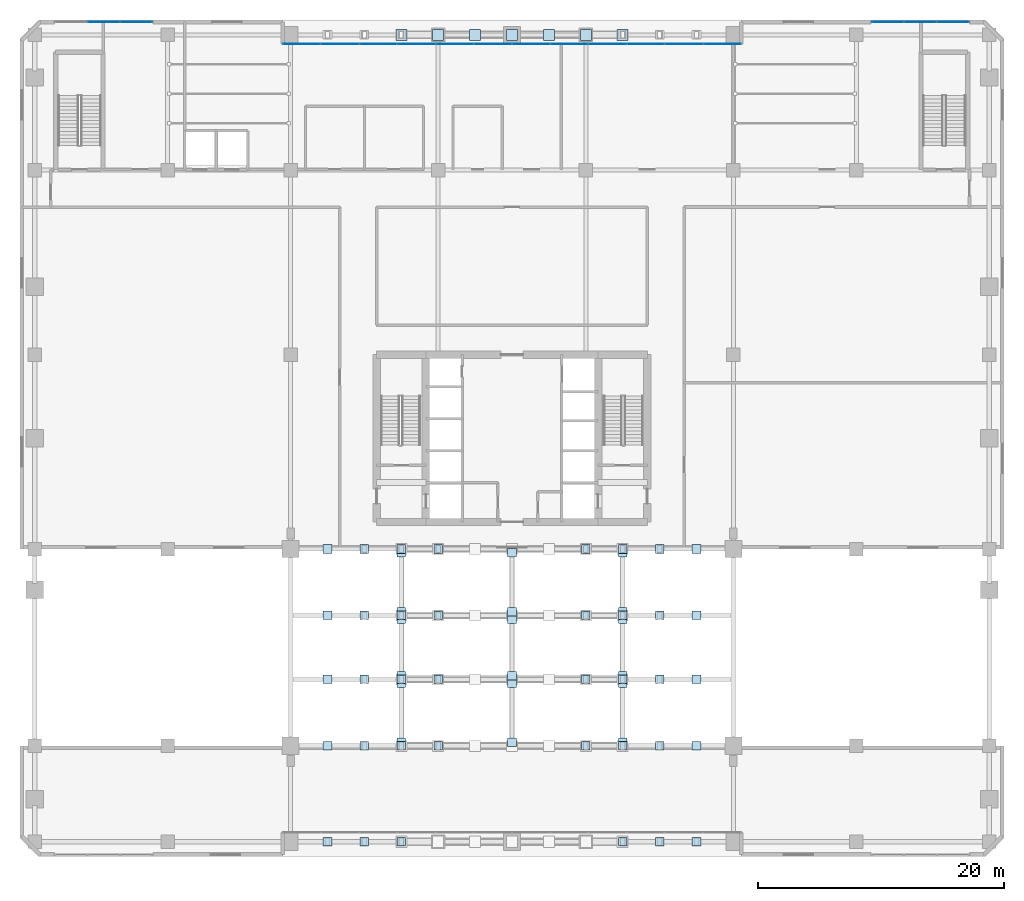
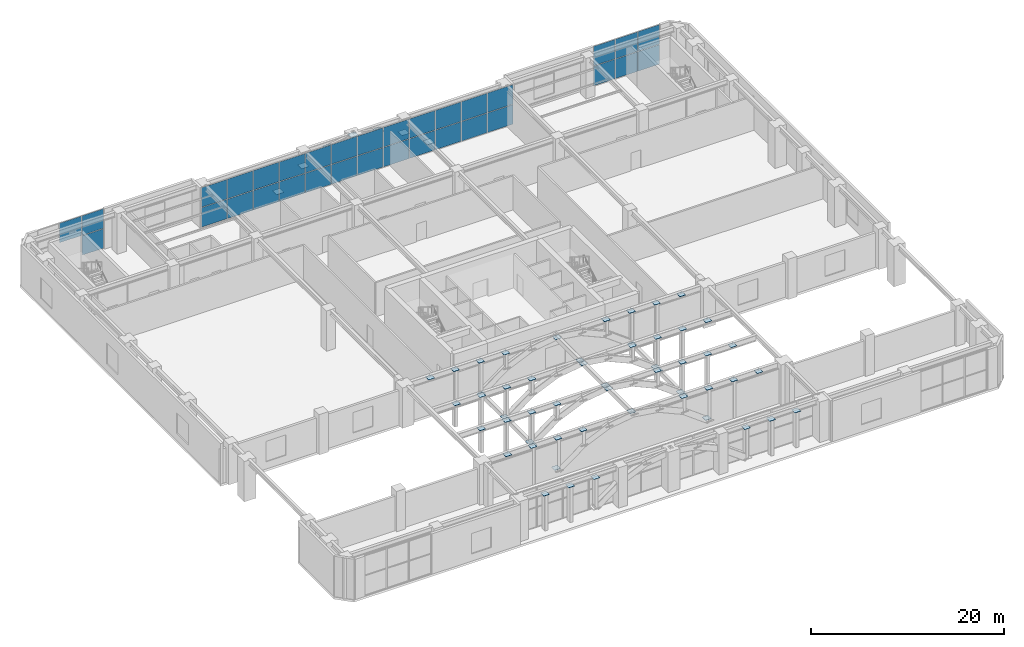
# One storey, part 23 of 32: 96 plates, 3 elements without a shape of their own.
"""IFC4 building model written with IfcOpenShell, lengths in metres."""

import ifcopenshell
import ifcopenshell.guid

model = None  # the IFC model being written
_history = None  # IfcOwnerHistory: only IFC2X3 demands one
_inside = {}  # id of a spatial element -> (the spatial element, [elements in it])
_under = {}  # id of a project, library or spatial element -> (it, [spatial elements below it])
_declared = {}  # id of a project -> (the project, [libraries it declares])
_typed = {}  # id of a type object -> (the type object, [elements of that type])
_made_of = {}  # id of a material, layer set ... -> (it, [elements and type objects made of it])


def new_model(schema):
    """Start an empty IFC model of exactly this schema.

    Asked for "IFC4X3", IfcOpenShell would pick the latest addendum, in which some entities
    have other attributes; the version numbers below select the first issue.
    IFC2X3 requires an IfcOwnerHistory on every rooted entity: one is made here for all.
    """
    global model, _history
    if schema == "IFC4X3":
        model = ifcopenshell.file(schema_version=(4, 3, 0, 0))
    else:
        model = ifcopenshell.file(schema=schema)
    _inside.clear()
    _under.clear()
    _declared.clear()
    _typed.clear()
    _made_of.clear()
    _history = None
    if model.schema == "IFC2X3":
        org = make("IfcOrganization", Name="unknown")
        user = make(
            "IfcPersonAndOrganization",
            ThePerson=make("IfcPerson", FamilyName="unknown"),
            TheOrganization=org,
        )
        app = make(
            "IfcApplication",
            ApplicationDeveloper=org,
            Version="unknown",
            ApplicationFullName="unknown",
            ApplicationIdentifier="unknown",
        )
        _history = make(
            "IfcOwnerHistory",
            OwningUser=user,
            OwningApplication=app,
            ChangeAction="ADDED",
            CreationDate=0,
        )
    return model


def make(cls, **values):
    """One entity of the class cls with the attributes given. An attribute that is None is left unset."""
    return model.create_entity(
        cls, **{name: value for name, value in values.items() if value is not None}
    )


def rooted(cls, **values):
    """An entity with a GlobalId (a new one), such as an element, a storey or a relation."""
    return make(cls, GlobalId=ifcopenshell.guid.new(), OwnerHistory=_history, **values)


def si_unit(unit_type, name, prefix=None):
    """IfcSIUnit, for example si_unit("LENGTHUNIT", "METRE", prefix="MILLI")."""
    return make("IfcSIUnit", UnitType=unit_type, Prefix=prefix, Name=name)


def assignment(units):
    """IfcUnitAssignment: the units of a project."""
    return None if units is None else make("IfcUnitAssignment", Units=units)


def point(xyz):
    """IfcCartesianPoint."""
    return None if xyz is None else make("IfcCartesianPoint", Coordinates=xyz)


def direction(xyz):
    """IfcDirection."""
    return None if xyz is None else make("IfcDirection", DirectionRatios=xyz)


def frame(location, z_axis=None, x_axis=None):
    """IfcAxis2Placement3D, a coordinate frame: its origin and axes. An axis left out is left unset."""
    return make(
        "IfcAxis2Placement3D",
        Location=point(location),
        Axis=direction(z_axis),
        RefDirection=direction(x_axis),
    )


def frame_2d(location, x_axis=None):
    """IfcAxis2Placement2D, a coordinate frame in the plane: its origin and x axis."""
    return make(
        "IfcAxis2Placement2D", Location=point(location), RefDirection=direction(x_axis)
    )


def origin():
    """The frame at (0, 0, 0) with its axes left unset."""
    return frame((0.0, 0.0, 0.0))


def origin_2d():
    """The frame at (0, 0) in the plane with its x axis left unset."""
    return frame_2d((0.0, 0.0))


def place(relative_to, where):
    """IfcLocalPlacement: puts the frame where relative to a parent placement (None: the world)."""
    return make(
        "IfcLocalPlacement", PlacementRelTo=relative_to, RelativePlacement=where
    )


def context(
    kind, dimensions, precision=None, world=None, true_north=None, identifier=None
):
    """IfcGeometricRepresentationContext, for example the 3D "Model" context."""
    return make(
        "IfcGeometricRepresentationContext",
        ContextIdentifier=identifier,
        ContextType=kind,
        CoordinateSpaceDimension=dimensions,
        Precision=precision,
        WorldCoordinateSystem=world,
        TrueNorth=true_north,
    )


def subcontext(parent, identifier, kind, view, scale=None):
    """IfcGeometricRepresentationSubContext, for example "Body" below "Model"."""
    return make(
        "IfcGeometricRepresentationSubContext",
        ContextIdentifier=identifier,
        ContextType=kind,
        ParentContext=parent,
        TargetScale=scale,
        TargetView=view,
    )


def project(units=None, contexts=None):
    """IfcProject with its units and contexts."""
    return rooted(
        "IfcProject",
        Name="project",
        RepresentationContexts=contexts,
        UnitsInContext=assignment(units),
    )


def spatial(cls, under=None, at=None, **own):
    """A site, building, storey or space (cls), placed at a placement, below another one or the project."""
    s = rooted(cls, ObjectPlacement=at, **own)
    if under is not None:
        _under.setdefault(under.id(), (under, []))[1].append(s)
    return s


def profile(cls, at=None, kind="AREA", **sizes):
    """A parametric profile (cls). Its sizes go by their IFC names, for example OverallWidth=200.0."""
    return make(cls, ProfileType=kind, Position=at, **sizes)


def rectangle(**sizes):
    """IfcRectangleProfileDef."""
    return profile("IfcRectangleProfileDef", **sizes)


def extrude(swept, where, along, depth):
    """IfcExtrudedAreaSolid: the profile swept, set in the frame where, extruded along a direction by depth."""
    return make(
        "IfcExtrudedAreaSolid",
        SweptArea=swept,
        Position=where,
        ExtrudedDirection=direction(along),
        Depth=depth,
    )


def shape(context_of_items, identifier, shape_type, items):
    """IfcShapeRepresentation: the items that make up one representation, for example the "Body"."""
    return make(
        "IfcShapeRepresentation",
        ContextOfItems=context_of_items,
        RepresentationIdentifier=identifier,
        RepresentationType=shape_type,
        Items=items,
    )


def material(Name=None, Category=None):
    """IfcMaterial."""
    return make("IfcMaterial", Name=Name, Category=Category)


def layer(
    of_material, thickness, ventilated=None, Name=None, Category=None, Priority=None
):
    """IfcMaterialLayer: one layer of a wall or slab, of a material (None: an air gap)."""
    return make(
        "IfcMaterialLayer",
        Material=of_material,
        LayerThickness=thickness,
        IsVentilated=ventilated,
        Name=Name,
        Category=Category,
        Priority=Priority,
    )


def layer_set(layers, Name=None):
    """IfcMaterialLayerSet."""
    return make("IfcMaterialLayerSet", MaterialLayers=layers, LayerSetName=Name)


def made_of(thing, what):
    """Note that an element or type object is made of a material, layer set ...; save() writes the relation."""
    if what is not None:
        _made_of.setdefault(what.id(), (what, []))[1].append(thing)
    return thing


def type_object(cls, material=None, **own):
    """A type object (cls), such as IfcWallType, which elements share."""
    return made_of(rooted(cls, **own), material)


def element(
    cls,
    number,
    at=None,
    inside=None,
    cuts=None,
    type_object=None,
    material=None,
    context=None,
    identifier="Body",
    shape_type=None,
    held_by="IfcProductDefinitionShape",
    body=None,
    shapes=None,
    **own,
):
    """One element of the class cls, such as IfcWall. Its Tag is "e" and its number.

    at: its placement. inside: the storey or other place that contains it. cuts: it is an
    opening in that element (IfcRelVoidsElement). A single representation is given by context,
    identifier, shape_type and body (its items); several are given by shapes. held_by: the class
    of the entity that holds the representations. save() writes the other relations.
    """
    e = rooted(cls, Tag="e%d" % number, ObjectPlacement=at, **own)
    if body is not None:
        shapes = [shape(context, identifier, shape_type, body)]
    if shapes is not None:
        e.Representation = make(held_by, Representations=shapes)
    if inside is not None:
        _inside.setdefault(inside.id(), (inside, []))[1].append(e)
    if cuts is not None:
        rooted(
            "IfcRelVoidsElement", RelatingBuildingElement=cuts, RelatedOpeningElement=e
        )
    if type_object is not None:
        _typed.setdefault(type_object.id(), (type_object, []))[1].append(e)
    return made_of(e, material)


def aggregate(whole, parts):
    """IfcRelAggregates: a whole, such as a stair, and the parts it consists of."""
    return rooted("IfcRelAggregates", RelatingObject=whole, RelatedObjects=parts)


def save(model, path):
    """Write the relations noted so far, then the file.

    IfcRelAggregates (storeys below a building ...), IfcRelContainedInSpatialStructure (elements
    in a storey), IfcRelDefinesByType, IfcRelAssociatesMaterial and IfcRelDeclares: one each for
    every whole, place, type object, material and project.
    """
    for whole, parts in _under.values():
        aggregate(whole, parts)
    for where, things in _inside.values():
        rooted(
            "IfcRelContainedInSpatialStructure",
            RelatedElements=things,
            RelatingStructure=where,
        )
    for kind, things in _typed.values():
        rooted("IfcRelDefinesByType", RelatedObjects=things, RelatingType=kind)
    for what, things in _made_of.values():
        rooted("IfcRelAssociatesMaterial", RelatedObjects=things, RelatingMaterial=what)
    for by, libraries in _declared.values():
        rooted("IfcRelDeclares", RelatingContext=by, RelatedDefinitions=libraries)
    model.write(path)


model = new_model("IFC4")

# Units and contexts
model_context = context("Model", 3, precision=1e-05, world=origin(), true_north=direction((0.0, 1.0)))
body_context = subcontext(model_context, "Body", "Model", "MODEL_VIEW")
ifc_project = project(units=[si_unit("LENGTHUNIT", "METRE"), si_unit("AREAUNIT", "SQUARE_METRE"), si_unit("VOLUMEUNIT", "CUBIC_METRE"), si_unit("PLANEANGLEUNIT", "RADIAN"), si_unit("MASSUNIT", "GRAM", prefix="KILO")], contexts=[model_context])

# Site, building, storey
site_placement = place(None, origin())
site = spatial("IfcSite", under=ifc_project, at=site_placement, CompositionType="ELEMENT")
building_placement = place(site_placement, origin())
building = spatial("IfcBuilding", under=site, at=building_placement, Name="Sarneth Arch Tower", CompositionType="ELEMENT")
storey_placement = place(building_placement, frame((0.0, 0.0, 11.39990234375)))
storey = spatial("IfcBuildingStorey", under=building, at=storey_placement, Name="L02", CompositionType="ELEMENT", Elevation=11.39990234375)

# Curtain wall, plates
ifc_material_1 = material(Name="Anodised aluminium Type AA25 and solar-control low-e laminated IGU", Category="aluminium")
ifc_layer_1 = layer(ifc_material_1, 0.199951171875)
ifc_layer_set_1 = layer_set([ifc_layer_1], Name="Anodised aluminium Type AA25 and solar-control low-e laminated IGU")
curtain_wall_type_1 = type_object("IfcCurtainWallType", Name="CW-ARCH-GLAZE", PredefinedType="NOTDEFINED", material=ifc_layer_set_1)
curtain_wall_1_placement = place(storey_placement, origin())
curtain_wall_1 = element("IfcCurtainWall", 1, at=curtain_wall_1_placement, inside=storey, type_object=curtain_wall_type_1, Name="L02 North parabolic arch portal curtain wall", PredefinedType="NOTDEFINED")
ifc_material_2 = material(Name="Solar-control low-e laminated IGU", Category="glass")
ifc_layer_2 = layer(ifc_material_2, 0.028076171875)
ifc_layer_set_2 = layer_set([ifc_layer_2], Name="Solar-control low-e laminated IGU")
plate_type_1 = type_object("IfcPlateType", Name="CW-PANEL", PredefinedType="CURTAIN_PANEL", material=ifc_layer_set_2)
plate_1_placement = place(storey_placement, frame((65.080810546875, 74.050048828125, 0.06005859375), z_axis=(0.0, 0.0, 1.0), x_axis=(-1.0, 0.0, 0.0)))
plate_1 = element("IfcPlate", 2, at=plate_1_placement, type_object=plate_type_1, Name="Curtain wall glazed vision pane CW-L02-N-ARCH/P00-00", PredefinedType="CURTAIN_PANEL", context=body_context, shape_type="SweptSolid", body=[
    extrude(rectangle(XDim=3.018310546875, YDim=0.028076171875, at=origin_2d()), origin(), (0.0, 0.0, 1.0), 2.4599609375),
])
plate_2_placement = place(storey_placement, frame((65.080810546875, 74.050048828125, 2.580078125), z_axis=(0.0, 0.0, 1.0), x_axis=(-1.0, 0.0, 0.0)))
plate_2 = element("IfcPlate", 3, at=plate_2_placement, type_object=plate_type_1, Name="Curtain wall glazed vision pane CW-L02-N-ARCH/P00-01", PredefinedType="CURTAIN_PANEL", context=body_context, shape_type="SweptSolid", body=[
    extrude(rectangle(XDim=3.018310546875, YDim=0.028076171875, at=origin_2d()), origin(), (0.0, 0.0, 1.0), 2.4599609375),
])
plate_3_placement = place(storey_placement, frame((61.987548828125, 74.050048828125, 0.06005859375), z_axis=(0.0, 0.0, 1.0), x_axis=(-1.0, 0.0, 0.0)))
plate_3 = element("IfcPlate", 4, at=plate_3_placement, type_object=plate_type_1, Name="Curtain wall glazed vision pane CW-L02-N-ARCH/P01-00", PredefinedType="CURTAIN_PANEL", context=body_context, shape_type="SweptSolid", body=[
    extrude(rectangle(XDim=3.04833984375, YDim=0.028076171875, at=origin_2d()), origin(), (0.0, 0.0, 1.0), 2.4599609375),
])
plate_4_placement = place(storey_placement, frame((61.987548828125, 74.050048828125, 2.580078125), z_axis=(0.0, 0.0, 1.0), x_axis=(-1.0, 0.0, 0.0)))
plate_4 = element("IfcPlate", 5, at=plate_4_placement, type_object=plate_type_1, Name="Curtain wall glazed vision pane CW-L02-N-ARCH/P01-01", PredefinedType="CURTAIN_PANEL", context=body_context, shape_type="SweptSolid", body=[
    extrude(rectangle(XDim=3.04833984375, YDim=0.028076171875, at=origin_2d()), origin(), (0.0, 0.0, 1.0), 2.4599609375),
])
plate_5_placement = place(storey_placement, frame((58.879150390625, 74.050048828125, 0.06005859375), z_axis=(0.0, 0.0, 1.0), x_axis=(-1.0, 0.0, 0.0)))
plate_5 = element("IfcPlate", 6, at=plate_5_placement, type_object=plate_type_1, Name="Curtain wall glazed vision pane CW-L02-N-ARCH/P02-00", PredefinedType="CURTAIN_PANEL", context=body_context, shape_type="SweptSolid", body=[
    extrude(rectangle(XDim=3.04833984375, YDim=0.028076171875, at=origin_2d()), origin(), (0.0, 0.0, 1.0), 2.4599609375),
])
plate_6_placement = place(storey_placement, frame((58.879150390625, 74.050048828125, 2.580078125), z_axis=(0.0, 0.0, 1.0), x_axis=(-1.0, 0.0, 0.0)))
plate_6 = element("IfcPlate", 7, at=plate_6_placement, type_object=plate_type_1, Name="Curtain wall glazed vision pane CW-L02-N-ARCH/P02-01", PredefinedType="CURTAIN_PANEL", context=body_context, shape_type="SweptSolid", body=[
    extrude(rectangle(XDim=3.04833984375, YDim=0.028076171875, at=origin_2d()), origin(), (0.0, 0.0, 1.0), 2.4599609375),
])
plate_7_placement = place(storey_placement, frame((55.770751953125, 74.050048828125, 0.06005859375), z_axis=(0.0, 0.0, 1.0), x_axis=(-1.0, 0.0, 0.0)))
plate_7 = element("IfcPlate", 8, at=plate_7_placement, type_object=plate_type_1, Name="Curtain wall glazed vision pane CW-L02-N-ARCH/P03-00", PredefinedType="CURTAIN_PANEL", context=body_context, shape_type="SweptSolid", body=[
    extrude(rectangle(XDim=3.04833984375, YDim=0.028076171875, at=origin_2d()), origin(), (0.0, 0.0, 1.0), 2.4599609375),
])
plate_8_placement = place(storey_placement, frame((55.770751953125, 74.050048828125, 2.580078125), z_axis=(0.0, 0.0, 1.0), x_axis=(-1.0, 0.0, 0.0)))
plate_8 = element("IfcPlate", 9, at=plate_8_placement, type_object=plate_type_1, Name="Curtain wall glazed vision pane CW-L02-N-ARCH/P03-01", PredefinedType="CURTAIN_PANEL", context=body_context, shape_type="SweptSolid", body=[
    extrude(rectangle(XDim=3.04833984375, YDim=0.028076171875, at=origin_2d()), origin(), (0.0, 0.0, 1.0), 2.4599609375),
])
plate_9_placement = place(storey_placement, frame((52.66259765625, 74.050048828125, 0.06005859375), z_axis=(0.0, 0.0, 1.0), x_axis=(-1.0, 0.0, 0.0)))
plate_9 = element("IfcPlate", 10, at=plate_9_placement, type_object=plate_type_1, Name="Curtain wall glazed vision pane CW-L02-N-ARCH/P04-00", PredefinedType="CURTAIN_PANEL", context=body_context, shape_type="SweptSolid", body=[
    extrude(rectangle(XDim=3.04833984375, YDim=0.028076171875, at=origin_2d()), origin(), (0.0, 0.0, 1.0), 2.4599609375),
])
plate_10_placement = place(storey_placement, frame((52.66259765625, 74.050048828125, 2.580078125), z_axis=(0.0, 0.0, 1.0), x_axis=(-1.0, 0.0, 0.0)))
plate_10 = element("IfcPlate", 11, at=plate_10_placement, type_object=plate_type_1, Name="Curtain wall glazed vision pane CW-L02-N-ARCH/P04-01", PredefinedType="CURTAIN_PANEL", context=body_context, shape_type="SweptSolid", body=[
    extrude(rectangle(XDim=3.04833984375, YDim=0.028076171875, at=origin_2d()), origin(), (0.0, 0.0, 1.0), 2.4599609375),
])
plate_11_placement = place(storey_placement, frame((49.55419921875, 74.050048828125, 0.06005859375), z_axis=(0.0, 0.0, 1.0), x_axis=(-1.0, 0.0, 0.0)))
plate_11 = element("IfcPlate", 12, at=plate_11_placement, type_object=plate_type_1, Name="Curtain wall glazed vision pane CW-L02-N-ARCH/P05-00", PredefinedType="CURTAIN_PANEL", context=body_context, shape_type="SweptSolid", body=[
    extrude(rectangle(XDim=3.04833984375, YDim=0.028076171875, at=origin_2d()), origin(), (0.0, 0.0, 1.0), 2.4599609375),
])
plate_12_placement = place(storey_placement, frame((49.55419921875, 74.050048828125, 2.580078125), z_axis=(0.0, 0.0, 1.0), x_axis=(-1.0, 0.0, 0.0)))
plate_12 = element("IfcPlate", 13, at=plate_12_placement, type_object=plate_type_1, Name="Curtain wall glazed vision pane CW-L02-N-ARCH/P05-01", PredefinedType="CURTAIN_PANEL", context=body_context, shape_type="SweptSolid", body=[
    extrude(rectangle(XDim=3.04833984375, YDim=0.028076171875, at=origin_2d()), origin(), (0.0, 0.0, 1.0), 2.4599609375),
])
plate_13_placement = place(storey_placement, frame((46.44580078125, 74.050048828125, 0.06005859375), z_axis=(0.0, 0.0, 1.0), x_axis=(-1.0, 0.0, 0.0)))
plate_13 = element("IfcPlate", 14, at=plate_13_placement, type_object=plate_type_1, Name="Curtain wall glazed vision pane CW-L02-N-ARCH/P06-00", PredefinedType="CURTAIN_PANEL", context=body_context, shape_type="SweptSolid", body=[
    extrude(rectangle(XDim=3.04833984375, YDim=0.028076171875, at=origin_2d()), origin(), (0.0, 0.0, 1.0), 2.4599609375),
])
plate_14_placement = place(storey_placement, frame((46.44580078125, 74.050048828125, 2.580078125), z_axis=(0.0, 0.0, 1.0), x_axis=(-1.0, 0.0, 0.0)))
plate_14 = element("IfcPlate", 15, at=plate_14_placement, type_object=plate_type_1, Name="Curtain wall glazed vision pane CW-L02-N-ARCH/P06-01", PredefinedType="CURTAIN_PANEL", context=body_context, shape_type="SweptSolid", body=[
    extrude(rectangle(XDim=3.04833984375, YDim=0.028076171875, at=origin_2d()), origin(), (0.0, 0.0, 1.0), 2.4599609375),
])
plate_15_placement = place(storey_placement, frame((43.33740234375, 74.050048828125, 0.06005859375), z_axis=(0.0, 0.0, 1.0), x_axis=(-1.0, 0.0, 0.0)))
plate_15 = element("IfcPlate", 16, at=plate_15_placement, type_object=plate_type_1, Name="Curtain wall glazed vision pane CW-L02-N-ARCH/P07-00", PredefinedType="CURTAIN_PANEL", context=body_context, shape_type="SweptSolid", body=[
    extrude(rectangle(XDim=3.04833984375, YDim=0.028076171875, at=origin_2d()), origin(), (0.0, 0.0, 1.0), 2.4599609375),
])
plate_16_placement = place(storey_placement, frame((43.33740234375, 74.050048828125, 2.580078125), z_axis=(0.0, 0.0, 1.0), x_axis=(-1.0, 0.0, 0.0)))
plate_16 = element("IfcPlate", 17, at=plate_16_placement, type_object=plate_type_1, Name="Curtain wall glazed vision pane CW-L02-N-ARCH/P07-01", PredefinedType="CURTAIN_PANEL", context=body_context, shape_type="SweptSolid", body=[
    extrude(rectangle(XDim=3.04833984375, YDim=0.028076171875, at=origin_2d()), origin(), (0.0, 0.0, 1.0), 2.4599609375),
])
plate_17_placement = place(storey_placement, frame((40.229248046875, 74.050048828125, 0.06005859375), z_axis=(0.0, 0.0, 1.0), x_axis=(-1.0, 0.0, 0.0)))
plate_17 = element("IfcPlate", 18, at=plate_17_placement, type_object=plate_type_1, Name="Curtain wall glazed vision pane CW-L02-N-ARCH/P08-00", PredefinedType="CURTAIN_PANEL", context=body_context, shape_type="SweptSolid", body=[
    extrude(rectangle(XDim=3.04833984375, YDim=0.028076171875, at=origin_2d()), origin(), (0.0, 0.0, 1.0), 2.4599609375),
])
plate_18_placement = place(storey_placement, frame((40.229248046875, 74.050048828125, 2.580078125), z_axis=(0.0, 0.0, 1.0), x_axis=(-1.0, 0.0, 0.0)))
plate_18 = element("IfcPlate", 19, at=plate_18_placement, type_object=plate_type_1, Name="Curtain wall glazed vision pane CW-L02-N-ARCH/P08-01", PredefinedType="CURTAIN_PANEL", context=body_context, shape_type="SweptSolid", body=[
    extrude(rectangle(XDim=3.04833984375, YDim=0.028076171875, at=origin_2d()), origin(), (0.0, 0.0, 1.0), 2.4599609375),
])
plate_19_placement = place(storey_placement, frame((37.120849609375, 74.050048828125, 0.06005859375), z_axis=(0.0, 0.0, 1.0), x_axis=(-1.0, 0.0, 0.0)))
plate_19 = element("IfcPlate", 20, at=plate_19_placement, type_object=plate_type_1, Name="Curtain wall glazed vision pane CW-L02-N-ARCH/P09-00", PredefinedType="CURTAIN_PANEL", context=body_context, shape_type="SweptSolid", body=[
    extrude(rectangle(XDim=3.04833984375, YDim=0.028076171875, at=origin_2d()), origin(), (0.0, 0.0, 1.0), 2.4599609375),
])
plate_20_placement = place(storey_placement, frame((37.120849609375, 74.050048828125, 2.580078125), z_axis=(0.0, 0.0, 1.0), x_axis=(-1.0, 0.0, 0.0)))
plate_20 = element("IfcPlate", 21, at=plate_20_placement, type_object=plate_type_1, Name="Curtain wall glazed vision pane CW-L02-N-ARCH/P09-01", PredefinedType="CURTAIN_PANEL", context=body_context, shape_type="SweptSolid", body=[
    extrude(rectangle(XDim=3.04833984375, YDim=0.028076171875, at=origin_2d()), origin(), (0.0, 0.0, 1.0), 2.4599609375),
])
plate_21_placement = place(storey_placement, frame((34.012451171875, 74.050048828125, 0.06005859375), z_axis=(0.0, 0.0, 1.0), x_axis=(-1.0, 0.0, 0.0)))
plate_21 = element("IfcPlate", 22, at=plate_21_placement, type_object=plate_type_1, Name="Curtain wall glazed vision pane CW-L02-N-ARCH/P10-00", PredefinedType="CURTAIN_PANEL", context=body_context, shape_type="SweptSolid", body=[
    extrude(rectangle(XDim=3.04833984375, YDim=0.028076171875, at=origin_2d()), origin(), (0.0, 0.0, 1.0), 2.4599609375),
])
plate_22_placement = place(storey_placement, frame((34.012451171875, 74.050048828125, 2.580078125), z_axis=(0.0, 0.0, 1.0), x_axis=(-1.0, 0.0, 0.0)))
plate_22 = element("IfcPlate", 23, at=plate_22_placement, type_object=plate_type_1, Name="Curtain wall glazed vision pane CW-L02-N-ARCH/P10-01", PredefinedType="CURTAIN_PANEL", context=body_context, shape_type="SweptSolid", body=[
    extrude(rectangle(XDim=3.04833984375, YDim=0.028076171875, at=origin_2d()), origin(), (0.0, 0.0, 1.0), 2.4599609375),
])
plate_23_placement = place(storey_placement, frame((30.919189453125, 74.050048828125, 0.06005859375), z_axis=(0.0, 0.0, 1.0), x_axis=(-1.0, 0.0, 0.0)))
plate_23 = element("IfcPlate", 24, at=plate_23_placement, type_object=plate_type_1, Name="Curtain wall glazed vision pane CW-L02-N-ARCH/P11-00", PredefinedType="CURTAIN_PANEL", context=body_context, shape_type="SweptSolid", body=[
    extrude(rectangle(XDim=3.018310546875, YDim=0.028076171875, at=origin_2d()), origin(), (0.0, 0.0, 1.0), 2.4599609375),
])
plate_24_placement = place(storey_placement, frame((30.919189453125, 74.050048828125, 2.580078125), z_axis=(0.0, 0.0, 1.0), x_axis=(-1.0, 0.0, 0.0)))
plate_24 = element("IfcPlate", 25, at=plate_24_placement, type_object=plate_type_1, Name="Curtain wall glazed vision pane CW-L02-N-ARCH/P11-01", PredefinedType="CURTAIN_PANEL", context=body_context, shape_type="SweptSolid", body=[
    extrude(rectangle(XDim=3.018310546875, YDim=0.028076171875, at=origin_2d()), origin(), (0.0, 0.0, 1.0), 2.4599609375),
])
aggregate(curtain_wall_1, [plate_1, plate_2, plate_3, plate_4, plate_5, plate_6, plate_7, plate_8, plate_9, plate_10, plate_11, plate_12, plate_13, plate_14, plate_15, plate_16, plate_17, plate_18, plate_19, plate_20, plate_21, plate_22, plate_23, plate_24])

ifc_material_3 = material(Name="Anodised aluminium Type AA25 and solar-control low-e laminated IGU", Category="aluminium")
ifc_layer_3 = layer(ifc_material_3, 0.179931640625)
ifc_layer_set_3 = layer_set([ifc_layer_3], Name="Anodised aluminium Type AA25 and solar-control low-e laminated IGU")
curtain_wall_type_2 = type_object("IfcCurtainWallType", Name="CW-PODIUM-CHAMF", PredefinedType="NOTDEFINED", material=ifc_layer_set_3)
curtain_wall_2_placement = place(storey_placement, origin())
curtain_wall_2 = element("IfcCurtainWall", 26, at=curtain_wall_2_placement, inside=storey, type_object=curtain_wall_type_2, Name="L02 Podium bay curtain wall NE", PredefinedType="NOTDEFINED")
plate_25_placement = place(storey_placement, frame((83.8515625, 75.85009765625, 0.06005859375), z_axis=(0.0, 0.0, 1.0), x_axis=(-1.0, 0.0, 0.0)))
plate_25 = element("IfcPlate", 27, at=plate_25_placement, type_object=plate_type_1, Name="Curtain wall glazed vision pane CW-L02-CORNER-NE/P00-00", PredefinedType="CURTAIN_PANEL", context=body_context, shape_type="SweptSolid", body=[
    extrude(rectangle(XDim=2.57666015625, YDim=0.028076171875, at=origin_2d()), origin(), (0.0, 0.0, 1.0), 2.4599609375),
])
plate_26_placement = place(storey_placement, frame((83.8515625, 75.85009765625, 2.580078125), z_axis=(0.0, 0.0, 1.0), x_axis=(-1.0, 0.0, 0.0)))
plate_26 = element("IfcPlate", 28, at=plate_26_placement, type_object=plate_type_1, Name="Curtain wall glazed vision pane CW-L02-CORNER-NE/P00-01", PredefinedType="CURTAIN_PANEL", context=body_context, shape_type="SweptSolid", body=[
    extrude(rectangle(XDim=2.57666015625, YDim=0.028076171875, at=origin_2d()), origin(), (0.0, 0.0, 1.0), 2.4599609375),
])
plate_27_placement = place(storey_placement, frame((81.199951171875, 75.85009765625, 0.06005859375), z_axis=(0.0, 0.0, 1.0), x_axis=(-1.0, 0.0, 0.0)))
plate_27 = element("IfcPlate", 29, at=plate_27_placement, type_object=plate_type_1, Name="Curtain wall glazed vision pane CW-L02-CORNER-NE/P01-00", PredefinedType="CURTAIN_PANEL", context=body_context, shape_type="SweptSolid", body=[
    extrude(rectangle(XDim=2.606689453125, YDim=0.028076171875, at=origin_2d()), origin(), (0.0, 0.0, 1.0), 2.4599609375),
])
plate_28_placement = place(storey_placement, frame((81.199951171875, 75.85009765625, 2.580078125), z_axis=(0.0, 0.0, 1.0), x_axis=(-1.0, 0.0, 0.0)))
plate_28 = element("IfcPlate", 30, at=plate_28_placement, type_object=plate_type_1, Name="Curtain wall glazed vision pane CW-L02-CORNER-NE/P01-01", PredefinedType="CURTAIN_PANEL", context=body_context, shape_type="SweptSolid", body=[
    extrude(rectangle(XDim=2.606689453125, YDim=0.028076171875, at=origin_2d()), origin(), (0.0, 0.0, 1.0), 2.4599609375),
])
plate_29_placement = place(storey_placement, frame((78.54833984375, 75.85009765625, 0.06005859375), z_axis=(0.0, 0.0, 1.0), x_axis=(-1.0, 0.0, 0.0)))
plate_29 = element("IfcPlate", 31, at=plate_29_placement, type_object=plate_type_1, Name="Curtain wall glazed vision pane CW-L02-CORNER-NE/P02-00", PredefinedType="CURTAIN_PANEL", context=body_context, shape_type="SweptSolid", body=[
    extrude(rectangle(XDim=2.57666015625, YDim=0.028076171875, at=origin_2d()), origin(), (0.0, 0.0, 1.0), 2.4599609375),
])
plate_30_placement = place(storey_placement, frame((78.54833984375, 75.85009765625, 2.580078125), z_axis=(0.0, 0.0, 1.0), x_axis=(-1.0, 0.0, 0.0)))
plate_30 = element("IfcPlate", 32, at=plate_30_placement, type_object=plate_type_1, Name="Curtain wall glazed vision pane CW-L02-CORNER-NE/P02-01", PredefinedType="CURTAIN_PANEL", context=body_context, shape_type="SweptSolid", body=[
    extrude(rectangle(XDim=2.57666015625, YDim=0.028076171875, at=origin_2d()), origin(), (0.0, 0.0, 1.0), 2.4599609375),
])
aggregate(curtain_wall_2, [plate_25, plate_26, plate_27, plate_28, plate_29, plate_30])

curtain_wall_3_placement = place(storey_placement, origin())
curtain_wall_3 = element("IfcCurtainWall", 33, at=curtain_wall_3_placement, inside=storey, type_object=curtain_wall_type_2, Name="L02 Podium bay curtain wall NW", PredefinedType="NOTDEFINED")
plate_31_placement = place(storey_placement, frame((17.45166015625, 75.85009765625, 0.06005859375), z_axis=(0.0, 0.0, 1.0), x_axis=(-1.0, 0.0, 0.0)))
plate_31 = element("IfcPlate", 34, at=plate_31_placement, type_object=plate_type_1, Name="Curtain wall glazed vision pane CW-L02-CORNER-NW/P00-00", PredefinedType="CURTAIN_PANEL", context=body_context, shape_type="SweptSolid", body=[
    extrude(rectangle(XDim=2.57666015625, YDim=0.028076171875, at=origin_2d()), origin(), (0.0, 0.0, 1.0), 2.4599609375),
])
plate_32_placement = place(storey_placement, frame((17.45166015625, 75.85009765625, 2.580078125), z_axis=(0.0, 0.0, 1.0), x_axis=(-1.0, 0.0, 0.0)))
plate_32 = element("IfcPlate", 35, at=plate_32_placement, type_object=plate_type_1, Name="Curtain wall glazed vision pane CW-L02-CORNER-NW/P00-01", PredefinedType="CURTAIN_PANEL", context=body_context, shape_type="SweptSolid", body=[
    extrude(rectangle(XDim=2.57666015625, YDim=0.028076171875, at=origin_2d()), origin(), (0.0, 0.0, 1.0), 2.4599609375),
])
plate_33_placement = place(storey_placement, frame((14.800048828125, 75.85009765625, 2.580078125), z_axis=(0.0, 0.0, 1.0), x_axis=(-1.0, 0.0, 0.0)))
plate_33 = element("IfcPlate", 36, at=plate_33_placement, type_object=plate_type_1, Name="Curtain wall glazed vision pane CW-L02-CORNER-NW/P01-01", PredefinedType="CURTAIN_PANEL", context=body_context, shape_type="SweptSolid", body=[
    extrude(rectangle(XDim=2.606689453125, YDim=0.028076171875, at=origin_2d()), origin(), (0.0, 0.0, 1.0), 2.4599609375),
])
aggregate(curtain_wall_3, [plate_31, plate_32, plate_33])

# Plates
ifc_material_4 = material(Name="Steel S355", Category="steel")
ifc_layer_4 = layer(ifc_material_4, 0.035888671875)
ifc_layer_set_4 = layer_set([ifc_layer_4], Name="Steel S355")
plate_type_2 = type_object("IfcPlateType", Name="PLT-GUSSET-30", PredefinedType="SHEET", material=ifc_layer_set_4)
for number, where, z_axis, x_axis, name in (
    (37, (33.0, 9.199951171875, 4.4619140625), (0.0, 0.0, 1.0), (1.0, 0.0, 0.0), "Steel end cap plate GP-1"),
    (38, (36.0, 9.199951171875, 4.4619140625), (0.0, 0.0, 1.0), (1.0, 0.0, 0.0), "Steel end cap plate GP-1"),
    (39, (39.0, 9.199951171875, 4.4619140625), (0.0, 0.0, 1.0), (1.0, 0.0, 0.0), "Steel end cap plate GP-1"),
    (40, (57.0, 9.199951171875, 4.4619140625), (0.0, 0.0, 1.0), (1.0, 0.0, 0.0), "Steel end cap plate GP-1"),
    (41, (60.0, 9.199951171875, 4.4619140625), (0.0, 0.0, 1.0), (1.0, 0.0, 0.0), "Steel end cap plate GP-1"),
    (42, (63.0, 9.199951171875, 4.4619140625), (0.0, 0.0, 1.0), (1.0, 0.0, 0.0), "Steel end cap plate GP-1"),
    (43, (33.0, 17.0, 4.70703125), (0.0, 0.0, 1.0), (1.0, 0.0, 0.0), "Steel end cap plate GP-1"),
    (44, (36.0, 17.0, 4.70703125), (0.0, 0.0, 1.0), (1.0, 0.0, 0.0), "Steel end cap plate GP-1"),
    (45, (39.0, 17.0, 4.70703125), (0.0, 0.0, 1.0), (1.0, 0.0, 0.0), "Steel end cap plate GP-1"),
    (46, (42.0, 17.0, 4.70703125), (0.0, 0.0, 1.0), (1.0, 0.0, 0.0), "Steel end cap plate GP-1"),
    (47, (54.0, 17.0, 4.70703125), (0.0, 0.0, 1.0), (1.0, 0.0, 0.0), "Steel end cap plate GP-1"),
    (48, (57.0, 17.0, 4.70703125), (0.0, 0.0, 1.0), (1.0, 0.0, 0.0), "Steel end cap plate GP-1"),
    (49, (60.0, 17.0, 4.70703125), (0.0, 0.0, 1.0), (1.0, 0.0, 0.0), "Steel end cap plate GP-1"),
    (50, (63.0, 17.0, 4.70703125), (0.0, 0.0, 1.0), (1.0, 0.0, 0.0), "Steel end cap plate GP-1"),
    (51, (33.0, 22.39990234375, 4.70703125), (0.0, 0.0, 1.0), (1.0, 0.0, 0.0), "Steel end cap plate GP-1"),
    (52, (36.0, 22.39990234375, 4.70703125), (0.0, 0.0, 1.0), (1.0, 0.0, 0.0), "Steel end cap plate GP-1"),
    (53, (39.0, 22.39990234375, 4.70703125), (0.0, 0.0, 1.0), (1.0, 0.0, 0.0), "Steel end cap plate GP-1"),
    (54, (42.0, 22.39990234375, 4.70703125), (0.0, 0.0, 1.0), (1.0, 0.0, 0.0), "Steel end cap plate GP-1"),
    (55, (54.0, 22.39990234375, 4.70703125), (0.0, 0.0, 1.0), (1.0, 0.0, 0.0), "Steel end cap plate GP-1"),
    (56, (57.0, 22.39990234375, 4.70703125), (0.0, 0.0, 1.0), (1.0, 0.0, 0.0), "Steel end cap plate GP-1"),
    (57, (60.0, 22.39990234375, 4.70703125), (0.0, 0.0, 1.0), (1.0, 0.0, 0.0), "Steel end cap plate GP-1"),
    (58, (63.0, 22.39990234375, 4.70703125), (0.0, 0.0, 1.0), (1.0, 0.0, 0.0), "Steel end cap plate GP-1"),
    (59, (33.0, 27.60009765625, 4.70703125), (0.0, 0.0, 1.0), (1.0, 0.0, 0.0), "Steel end cap plate GP-1"),
    (60, (36.0, 27.60009765625, 4.70703125), (0.0, 0.0, 1.0), (1.0, 0.0, 0.0), "Steel end cap plate GP-1"),
    (61, (39.0, 27.60009765625, 4.70703125), (0.0, 0.0, 1.0), (1.0, 0.0, 0.0), "Steel end cap plate GP-1"),
    (62, (42.0, 27.60009765625, 4.70703125), (0.0, 0.0, 1.0), (1.0, 0.0, 0.0), "Steel end cap plate GP-1"),
    (63, (54.0, 27.60009765625, 4.70703125), (0.0, 0.0, 1.0), (1.0, 0.0, 0.0), "Steel end cap plate GP-1"),
    (64, (57.0, 27.60009765625, 4.70703125), (0.0, 0.0, 1.0), (1.0, 0.0, 0.0), "Steel end cap plate GP-1"),
    (65, (60.0, 27.60009765625, 4.70703125), (0.0, 0.0, 1.0), (1.0, 0.0, 0.0), "Steel end cap plate GP-1"),
    (66, (63.0, 27.60009765625, 4.70703125), (0.0, 0.0, 1.0), (1.0, 0.0, 0.0), "Steel end cap plate GP-1"),
    (67, (33.0, 33.0, 4.70703125), (0.0, 0.0, 1.0), (1.0, 0.0, 0.0), "Steel end cap plate GP-1"),
    (68, (36.0, 33.0, 4.70703125), (0.0, 0.0, 1.0), (1.0, 0.0, 0.0), "Steel end cap plate GP-1"),
    (69, (39.0, 33.0, 4.70703125), (0.0, 0.0, 1.0), (1.0, 0.0, 0.0), "Steel end cap plate GP-1"),
    (70, (42.0, 33.0, 4.70703125), (0.0, 0.0, 1.0), (1.0, 0.0, 0.0), "Steel end cap plate GP-1"),
    (71, (54.0, 33.0, 4.70703125), (0.0, 0.0, 1.0), (1.0, 0.0, 0.0), "Steel end cap plate GP-1"),
    (72, (57.0, 33.0, 4.70703125), (0.0, 0.0, 1.0), (1.0, 0.0, 0.0), "Steel end cap plate GP-1"),
    (73, (60.0, 33.0, 4.70703125), (0.0, 0.0, 1.0), (1.0, 0.0, 0.0), "Steel end cap plate GP-1"),
    (74, (63.0, 33.0, 4.70703125), (0.0, 0.0, 1.0), (1.0, 0.0, 0.0), "Steel end cap plate GP-1"),
):
    element("IfcPlate", number, at=place(storey_placement, frame(where, z_axis=z_axis, x_axis=x_axis)), inside=storey, type_object=plate_type_2, Name=name, PredefinedType="SHEET", context=body_context, shape_type="SweptSolid", body=[
        extrude(rectangle(XDim=0.699951171875, YDim=0.699951171875, at=origin_2d()), origin(), (0.0, 0.0, 1.0), 0.035888671875),
    ])
for number, where, z_axis, x_axis, name in (
    (75, (39.0, 74.800048828125, 0.71337890625), (0.0, 0.0, 1.0), (-1.0, 0.0, 0.0), "Steel end cap plate GP-1"),
    (76, (42.0, 74.800048828125, 2.93212890625), (0.0, 0.0, 1.0), (-1.0, 0.0, 0.0), "Steel end cap plate GP-1"),
    (77, (45.0, 74.800048828125, 4.26318359375), (0.0, 0.0, 1.0), (-1.0, 0.0, 0.0), "Steel end cap plate GP-1"),
    (78, (48.0, 74.800048828125, 4.70703125), (0.0, 0.0, 1.0), (-1.0, 0.0, 0.0), "Steel end cap plate GP-1"),
    (79, (51.0, 74.800048828125, 4.26318359375), (0.0, 0.0, 1.0), (-1.0, 0.0, 0.0), "Steel end cap plate GP-1"),
    (80, (54.0, 74.800048828125, 2.93212890625), (0.0, 0.0, 1.0), (-1.0, 0.0, 0.0), "Steel end cap plate GP-1"),
    (81, (57.0, 74.800048828125, 0.71337890625), (0.0, 0.0, 1.0), (-1.0, 0.0, 0.0), "Steel end cap plate GP-1"),
):
    element("IfcPlate", number, at=place(storey_placement, frame(where, z_axis=z_axis, x_axis=x_axis)), inside=storey, type_object=plate_type_2, Name=name, PredefinedType="SHEET", context=body_context, shape_type="SweptSolid", body=[
        extrude(rectangle(XDim=0.89990234375, YDim=0.89990234375, at=origin_2d()), origin(), (0.0, 0.0, 1.0), 0.035888671875),
    ])
for number, where, z_axis, x_axis, name in (
    (82, (39.0, 17.300048828125, 0.71337890625), (0.0, 0.0, 1.0), (0.0, -1.0, 0.0), "Steel end cap plate GP-1"),
    (83, (39.0, 22.10009765625, 0.71337890625), (0.0, 0.0, 1.0), (0.0, 1.0, 0.0), "Steel end cap plate GP-1"),
    (84, (39.0, 22.699951171875, 0.71337890625), (0.0, 0.0, 1.0), (0.0, -1.0, 0.0), "Steel end cap plate GP-1"),
    (85, (39.0, 27.300048828125, 0.71337890625), (0.0, 0.0, 1.0), (0.0, 1.0, 0.0), "Steel end cap plate GP-1"),
    (86, (39.0, 27.89990234375, 0.71337890625), (0.0, 0.0, 1.0), (0.0, -1.0, 0.0), "Steel end cap plate GP-1"),
    (87, (39.0, 32.699951171875, 0.71337890625), (0.0, 0.0, 1.0), (0.0, 1.0, 0.0), "Steel end cap plate GP-1"),
    (88, (48.0, 17.300048828125, 4.70703125), (0.0, 0.0, 1.0), (0.0, -1.0, 0.0), "Steel end cap plate GP-1"),
    (89, (48.0, 22.10009765625, 4.70703125), (0.0, 0.0, 1.0), (0.0, 1.0, 0.0), "Steel end cap plate GP-1"),
    (90, (48.0, 22.699951171875, 4.70703125), (0.0, 0.0, 1.0), (0.0, -1.0, 0.0), "Steel end cap plate GP-1"),
    (91, (48.0, 27.300048828125, 4.70703125), (0.0, 0.0, 1.0), (0.0, 1.0, 0.0), "Steel end cap plate GP-1"),
    (92, (48.0, 27.89990234375, 4.70703125), (0.0, 0.0, 1.0), (0.0, -1.0, 0.0), "Steel end cap plate GP-1"),
    (93, (48.0, 32.699951171875, 4.70703125), (0.0, 0.0, 1.0), (0.0, 1.0, 0.0), "Steel end cap plate GP-1"),
    (94, (57.0, 17.300048828125, 0.71337890625), (0.0, 0.0, 1.0), (0.0, -1.0, 0.0), "Steel end cap plate GP-1"),
    (95, (57.0, 22.10009765625, 0.71337890625), (0.0, 0.0, 1.0), (0.0, 1.0, 0.0), "Steel end cap plate GP-1"),
    (96, (57.0, 22.699951171875, 0.71337890625), (0.0, 0.0, 1.0), (0.0, -1.0, 0.0), "Steel end cap plate GP-1"),
    (97, (57.0, 27.300048828125, 0.71337890625), (0.0, 0.0, 1.0), (0.0, 1.0, 0.0), "Steel end cap plate GP-1"),
    (98, (57.0, 27.89990234375, 0.71337890625), (0.0, 0.0, 1.0), (0.0, -1.0, 0.0), "Steel end cap plate GP-1"),
    (99, (57.0, 32.699951171875, 0.71337890625), (0.0, 0.0, 1.0), (0.0, 1.0, 0.0), "Steel end cap plate GP-1"),
):
    element("IfcPlate", number, at=place(storey_placement, frame(where, z_axis=z_axis, x_axis=x_axis)), inside=storey, type_object=plate_type_2, Name=name, PredefinedType="SHEET", context=body_context, shape_type="SweptSolid", body=[
        extrude(rectangle(XDim=0.699951171875, YDim=0.699951171875, at=origin_2d()), origin(), (0.0, 0.0, 1.0), 0.035888671875),
    ])

save(model, "model.ifc")
